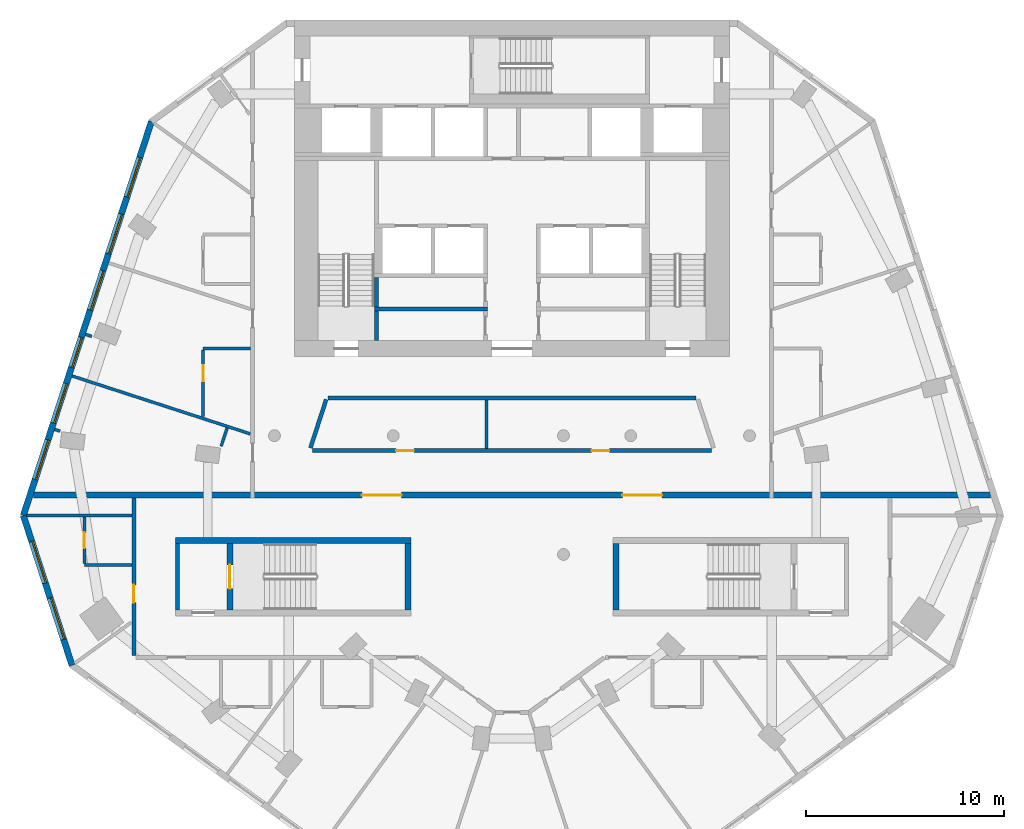
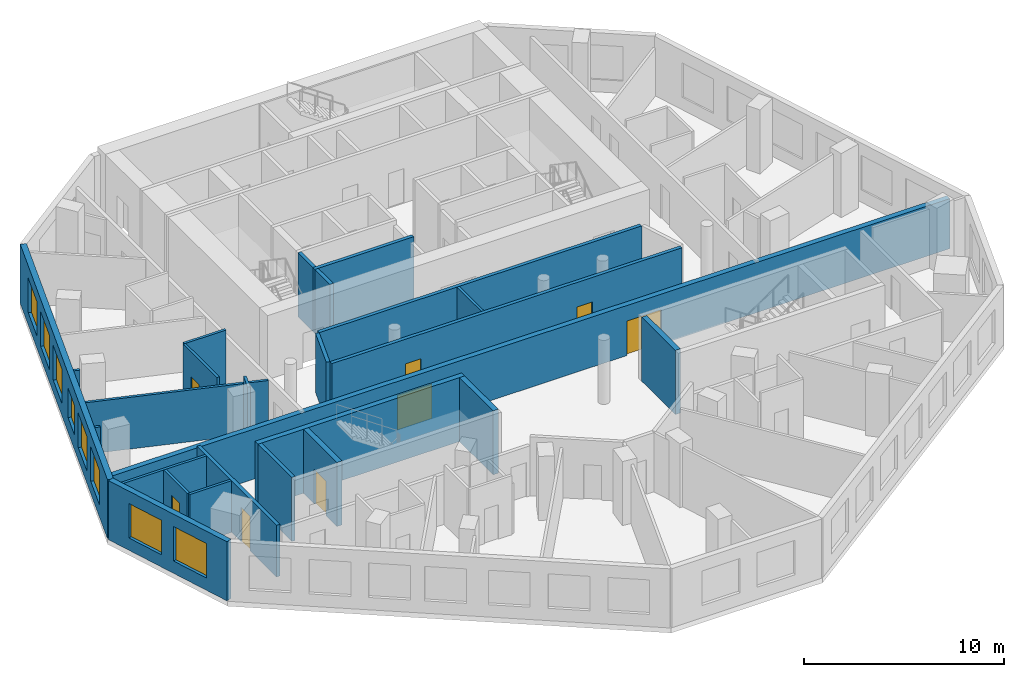
# One storey, part 3 of 9: 25 walls, 8 doors, 8 windows, 16 openings.
"""IFC4 building model written with IfcOpenShell, lengths in metres."""

from ifc_helpers import new_model, si_unit, direction, frame, frame_2d, origin, place, context, subcontext, project, spatial, rectangle, extrude, material, layer, layer_set, type_object, element, fill, save


model = new_model("IFC4")

# Units and contexts
model_context = context("Model", 3, precision=1e-05, world=origin(), true_north=direction((0.0, 1.0)))
body_context = subcontext(model_context, "Body", "Model", "MODEL_VIEW")
ifc_project = project(units=[si_unit("LENGTHUNIT", "METRE"), si_unit("AREAUNIT", "SQUARE_METRE"), si_unit("VOLUMEUNIT", "CUBIC_METRE"), si_unit("PLANEANGLEUNIT", "RADIAN"), si_unit("MASSUNIT", "GRAM", prefix="KILO")], contexts=[model_context])

# Site, building, storey
site_placement = place(None, origin())
site = spatial("IfcSite", under=ifc_project, at=site_placement, CompositionType="ELEMENT")
building_placement = place(site_placement, origin())
building = spatial("IfcBuilding", under=site, at=building_placement, Name="White Candle Pilgrim Tower", CompositionType="ELEMENT")
storey_placement = place(building_placement, frame((0.0, 0.0, 212.10009765625)))
storey = spatial("IfcBuildingStorey", under=building, at=storey_placement, Name="L49", CompositionType="ELEMENT", Elevation=212.10009765625)

# Wall
ifc_material_1 = material(Name="Concrete C50/60", Category="concrete")
ifc_layer_1 = layer(ifc_material_1, 0.199951171875)
ifc_layer_set_1 = layer_set([ifc_layer_1], Name="Core wall 200 mm Concrete C50/60")
wall_type_1 = type_object("IfcWallType", Name="Core wall 200 mm Concrete C50/60", PredefinedType="SHEAR", material=ifc_layer_set_1)
wall_1_placement = place(storey_placement, frame((53.10009765625, 58.199951171875, 0.0), z_axis=(0.0, 0.0, 1.0), x_axis=(0.0, 1.0, 0.0)))
element("IfcWall", 1, at=wall_1_placement, inside=storey, type_object=wall_type_1, Name="WL-L49-C03", PredefinedType="SHEAR", context=body_context, shape_type="SweptSolid", body=[
    extrude(rectangle(XDim=3.35009765625, YDim=0.199951171875, at=frame_2d((1.675048828125, 0.0))), origin(), (0.0, 0.0, 1.0), 3.89990234375),
])

# Wall, opening, door
ifc_material_2 = material(Name="Gypsum board on steel studs", Category="steel")
ifc_layer_2 = layer(ifc_material_2, 0.199951171875)
ifc_layer_set_2 = layer_set([ifc_layer_2], Name="Corridor wall 200 mm EI 45")
wall_type_2 = type_object("IfcWallType", Name="Corridor wall 200 mm EI 45", PredefinedType="PARTITIONING", material=ifc_layer_set_2)
wall_2_placement = place(storey_placement, frame((50.89990234375, 55.89990234375, 0.0), z_axis=(0.0, 0.0, 1.0), x_axis=(0.0, 1.0, 0.0)))
wall_2 = element("IfcWall", 2, at=wall_2_placement, inside=storey, type_object=wall_type_2, Name="WL-L49-P010", PredefinedType="PARTITIONING", context=body_context, shape_type="SweptSolid", body=[
    extrude(rectangle(XDim=7.9501953125, YDim=0.199951171875, at=frame_2d((3.97509765625, 0.0))), origin(), (0.0, 0.0, 1.0), 3.14990234375),
])
opening_1_placement = place(wall_2_placement, frame((2.66650390625, 0.0, 0.0)))
opening_1 = element("IfcOpeningElement", 3, at=opening_1_placement, cuts=wall_2, Name="Opening T15-104", PredefinedType="OPENING", context=body_context, shape_type="SweptSolid", body=[
    extrude(rectangle(XDim=0.89990234375, YDim=2.10009765625, at=frame_2d((0.449951171875, 1.050048828125))), frame((0.0, 0.10986328125, 0.0), z_axis=(0.0, -1.0, 0.0), x_axis=(1.0, 0.0, 0.0)), (0.0, 0.0, 1.0), 0.219970703125),
])
ifc_material_3 = material(Name="Steel door leaf", Category="steel")
door_type_1 = type_object("IfcDoorType", Name="Fire door 900 x 2100 EI 30", OperationType="NOTDEFINED", PredefinedType="DOOR", material=ifc_material_3)
door_1_placement = place(opening_1_placement, origin())
door_1 = element("IfcDoor", 4, at=door_1_placement, inside=storey, type_object=door_type_1, Name="Door T15-104", OperationType="SINGLE_SWING_RIGHT", OverallHeight=2.10009765625, OverallWidth=0.89990234375, PredefinedType="DOOR", context=body_context, shape_type="SweptSolid", body=[
    extrude(rectangle(XDim=0.89990234375, YDim=2.10009765625, at=frame_2d((0.449951171875, 1.050048828125))), frame((0.0, 0.02490234375, 0.0), z_axis=(0.0, -1.0, 0.0), x_axis=(1.0, 0.0, 0.0)), (0.0, 0.0, 1.0), 0.050048828125),
])
fill(opening_1, door_1)

# Wall
wall_3_placement = place(storey_placement, frame((60.614501953125, 68.830810546875, 0.0), z_axis=(0.0, 0.0, 1.0), x_axis=(-0.309053927645, -0.951044515155, 0.0)))
element("IfcWall", 5, at=wall_3_placement, inside=storey, type_object=wall_type_2, Name="WL-L49-P011", PredefinedType="PARTITIONING", context=body_context, shape_type="SweptSolid", body=[
    extrude(rectangle(XDim=2.576171875, YDim=0.199951171875, at=frame_2d((1.2880859375, 0.0))), origin(), (0.0, 0.0, 1.0), 3.599853515625),
])

# Wall, openings, doors
wall_4_placement = place(storey_placement, frame((59.91357421875, 66.25, 0.0), z_axis=(0.0, 0.0, 1.0), x_axis=(1.0, 0.0, 0.0)))
wall_4 = element("IfcWall", 6, at=wall_4_placement, inside=storey, type_object=wall_type_2, Name="WL-L49-P012", PredefinedType="PARTITIONING", context=body_context, shape_type="SweptSolid", body=[
    extrude(rectangle(XDim=20.1728515625, YDim=0.199951171875, at=frame_2d((10.08642578125, 0.0))), origin(), (0.0, 0.0, 1.0), 3.599853515625),
])
opening_2_placement = place(wall_4_placement, frame((4.232421875, 0.0, 0.0)))
opening_2 = element("IfcOpeningElement", 7, at=opening_2_placement, cuts=wall_4, Name="Opening T15-121", PredefinedType="OPENING", context=body_context, shape_type="SweptSolid", body=[
    extrude(rectangle(XDim=0.89990234375, YDim=2.10009765625, at=frame_2d((0.449951171875, 1.050048828125))), frame((0.0, 0.10986328125, 0.0), z_axis=(0.0, -1.0, 0.0), x_axis=(1.0, 0.0, 0.0)), (0.0, 0.0, 1.0), 0.219970703125),
])
opening_3_placement = place(wall_4_placement, frame((14.1064453125, 0.0, 0.0)))
opening_3 = element("IfcOpeningElement", 8, at=opening_3_placement, cuts=wall_4, Name="Opening T15-122", PredefinedType="OPENING", context=body_context, shape_type="SweptSolid", body=[
    extrude(rectangle(XDim=0.89990234375, YDim=2.10009765625, at=frame_2d((0.449951171875, 1.050048828125))), frame((0.0, 0.10986328125, 0.0), z_axis=(0.0, -1.0, 0.0), x_axis=(1.0, 0.0, 0.0)), (0.0, 0.0, 1.0), 0.219970703125),
])
door_2_placement = place(opening_2_placement, origin())
door_2 = element("IfcDoor", 9, at=door_2_placement, inside=storey, type_object=door_type_1, Name="Door T15-121", OperationType="SINGLE_SWING_RIGHT", OverallHeight=2.10009765625, OverallWidth=0.89990234375, PredefinedType="DOOR", context=body_context, shape_type="SweptSolid", body=[
    extrude(rectangle(XDim=0.89990234375, YDim=2.10009765625, at=frame_2d((0.449951171875, 1.050048828125))), frame((0.0, 0.02490234375, 0.0), z_axis=(0.0, -1.0, 0.0), x_axis=(1.0, 0.0, 0.0)), (0.0, 0.0, 1.0), 0.050048828125),
])
fill(opening_2, door_2)
door_3_placement = place(opening_3_placement, origin())
door_3 = element("IfcDoor", 10, at=door_3_placement, inside=storey, type_object=door_type_1, Name="Door T15-122", OperationType="SINGLE_SWING_RIGHT", OverallHeight=2.10009765625, OverallWidth=0.89990234375, PredefinedType="DOOR", context=body_context, shape_type="SweptSolid", body=[
    extrude(rectangle(XDim=0.89990234375, YDim=2.10009765625, at=frame_2d((0.449951171875, 1.050048828125))), frame((0.0, 0.02490234375, 0.0), z_axis=(0.0, -1.0, 0.0), x_axis=(1.0, 0.0, 0.0)), (0.0, 0.0, 1.0), 0.050048828125),
])
fill(opening_3, door_3)

# Wall
wall_5_placement = place(storey_placement, frame((79.290283203125, 68.89990234375, 0.0), z_axis=(0.0, 0.0, 1.0), x_axis=(-1.0, 0.0, 0.0)))
element("IfcWall", 11, at=wall_5_placement, inside=storey, type_object=wall_type_2, Name="WL-L49-P014", PredefinedType="PARTITIONING", context=body_context, shape_type="SweptSolid", body=[
    extrude(rectangle(XDim=18.58056640625, YDim=0.199951171875, at=frame_2d((9.290283203125, 0.0))), origin(), (0.0, 0.0, 1.0), 3.599853515625),
])

# Wall, openings, windows
ifc_material_4 = material(Name="Precast concrete C40/50", Category="concrete")
ifc_layer_3 = layer(ifc_material_4, 0.320068359375)
ifc_layer_set_3 = layer_set([ifc_layer_3], Name="Facade wall EW1 precast concrete C40/50 pier wall with timber-lined reveals")
wall_type_3 = type_object("IfcWallType", Name="Facade wall EW1 precast concrete C40/50 pier wall with timber-lined reveals", PredefinedType="SOLIDWALL", material=ifc_layer_set_3)
wall_6_placement = place(storey_placement, frame((45.312255859375, 62.96337890625, 0.0), z_axis=(0.0, 0.0, 1.0), x_axis=(0.309020158762, -0.951055488118, 0.0)))
wall_6 = element("IfcWall", 12, at=wall_6_placement, inside=storey, type_object=wall_type_3, Name="Facade wall L49 W chamfer", PredefinedType="SOLIDWALL", context=body_context, shape_type="SweptSolid", body=[
    extrude(rectangle(XDim=7.95654296875, YDim=0.320068359375, at=frame_2d((3.978271484375, 0.0))), origin(), (0.0, 0.0, 1.0), 3.599853515625),
])
opening_4_placement = place(wall_6_placement, frame((1.378173828125, 0.0, 0.75)))
opening_4 = element("IfcOpeningElement", 13, at=opening_4_placement, cuts=wall_6, Name="Opening W4", PredefinedType="OPENING", context=body_context, shape_type="SweptSolid", body=[
    extrude(rectangle(XDim=2.199951171875, YDim=2.10009765625, at=frame_2d((1.10009765625, 1.050048828125))), frame((0.0, 0.169921875, 0.0), z_axis=(0.0, -1.0, 0.0), x_axis=(1.0, 0.0, 0.0)), (0.0, 0.0, 1.0), 0.340087890625),
])
opening_5_placement = place(wall_6_placement, frame((4.378173828125, 0.0, 0.75)))
opening_5 = element("IfcOpeningElement", 14, at=opening_5_placement, cuts=wall_6, Name="Opening W4", PredefinedType="OPENING", context=body_context, shape_type="SweptSolid", body=[
    extrude(rectangle(XDim=2.199951171875, YDim=2.10009765625, at=frame_2d((1.10009765625, 1.050048828125))), frame((0.0, 0.169921875, 0.0), z_axis=(0.0, -1.0, 0.0), x_axis=(1.0, 0.0, 0.0)), (0.0, 0.0, 1.0), 0.340087890625),
])
ifc_material_5 = material(Name="Timber frame with triple glazing", Category="wood")
window_type_1 = type_object("IfcWindowType", Name="Window W4 2200x2100 timber frame triple glazing", PartitioningType="SINGLE_PANEL", PredefinedType="WINDOW", material=ifc_material_5)
window_1_placement = place(opening_4_placement, origin())
window_1 = element("IfcWindow", 15, at=window_1_placement, inside=storey, type_object=window_type_1, Name="Window W4 L49 W chamfer 1", OverallHeight=2.10009765625, OverallWidth=2.199951171875, PartitioningType="SINGLE_PANEL", PredefinedType="WINDOW", context=body_context, shape_type="SweptSolid", body=[
    extrude(rectangle(XDim=2.199951171875, YDim=2.10009765625, at=frame_2d((1.10009765625, 1.050048828125))), frame((0.0, 0.070068359375, 0.0), z_axis=(0.0, -1.0, 0.0), x_axis=(1.0, 0.0, 0.0)), (0.0, 0.0, 1.0), 0.06005859375),
])
fill(opening_4, window_1)
window_2_placement = place(opening_5_placement, origin())
window_2 = element("IfcWindow", 16, at=window_2_placement, inside=storey, type_object=window_type_1, Name="Window W4 L49 W chamfer 2", OverallHeight=2.10009765625, OverallWidth=2.199951171875, PartitioningType="SINGLE_PANEL", PredefinedType="WINDOW", context=body_context, shape_type="SweptSolid", body=[
    extrude(rectangle(XDim=2.199951171875, YDim=2.10009765625, at=frame_2d((1.10009765625, 1.050048828125))), frame((0.0, 0.070068359375, 0.0), z_axis=(0.0, -1.0, 0.0), x_axis=(1.0, 0.0, 0.0)), (0.0, 0.0, 1.0), 0.06005859375),
])
fill(opening_5, window_2)

wall_7_placement = place(storey_placement, frame((51.7822265625, 82.875732421875, 0.0), z_axis=(0.0, 0.0, 1.0), x_axis=(-0.309019363855, -0.951055746401, 0.0)))
wall_7 = element("IfcWall", 17, at=wall_7_placement, inside=storey, type_object=wall_type_3, Name="Facade wall L49 WNW", PredefinedType="SOLIDWALL", context=body_context, shape_type="SweptSolid", body=[
    extrude(rectangle(XDim=20.93701171875, YDim=0.320068359375, at=frame_2d((10.468505859375, 0.0))), origin(), (0.0, 0.0, 1.0), 3.599853515625),
])
opening_6_placement = place(wall_7_placement, frame((1.918701171875, 0.0, 0.75)))
opening_6 = element("IfcOpeningElement", 18, at=opening_6_placement, cuts=wall_7, Name="Opening W3", PredefinedType="OPENING", context=body_context, shape_type="SweptSolid", body=[
    extrude(rectangle(XDim=2.10009765625, YDim=2.10009765625, at=frame_2d((1.050048828125, 1.050048828125))), frame((0.0, 0.169921875, 0.0), z_axis=(0.0, -1.0, 0.0), x_axis=(1.0, 0.0, 0.0)), (0.0, 0.0, 1.0), 0.340087890625),
])
opening_7_placement = place(wall_7_placement, frame((4.918701171875, 0.0, 0.75)))
opening_7 = element("IfcOpeningElement", 19, at=opening_7_placement, cuts=wall_7, Name="Opening W3", PredefinedType="OPENING", context=body_context, shape_type="SweptSolid", body=[
    extrude(rectangle(XDim=2.10009765625, YDim=2.10009765625, at=frame_2d((1.050048828125, 1.050048828125))), frame((0.0, 0.169921875, 0.0), z_axis=(0.0, -1.0, 0.0), x_axis=(1.0, 0.0, 0.0)), (0.0, 0.0, 1.0), 0.340087890625),
])
opening_8_placement = place(wall_7_placement, frame((7.918701171875, 0.0, 0.75)))
opening_8 = element("IfcOpeningElement", 20, at=opening_8_placement, cuts=wall_7, Name="Opening W3", PredefinedType="OPENING", context=body_context, shape_type="SweptSolid", body=[
    extrude(rectangle(XDim=2.10009765625, YDim=2.10009765625, at=frame_2d((1.050048828125, 1.050048828125))), frame((0.0, 0.169921875, 0.0), z_axis=(0.0, -1.0, 0.0), x_axis=(1.0, 0.0, 0.0)), (0.0, 0.0, 1.0), 0.340087890625),
])
opening_9_placement = place(wall_7_placement, frame((11.468505859375, 0.0, 0.89990234375)))
opening_9 = element("IfcOpeningElement", 21, at=opening_9_placement, cuts=wall_7, Name="Opening W2", PredefinedType="OPENING", context=body_context, shape_type="SweptSolid", body=[
    extrude(rectangle(XDim=1.60009765625, YDim=1.800048828125, at=frame_2d((0.800048828125, 0.89990234375))), frame((0.0, 0.169921875, 0.0), z_axis=(0.0, -1.0, 0.0), x_axis=(1.0, 0.0, 0.0)), (0.0, 0.0, 1.0), 0.340087890625),
])
opening_10_placement = place(wall_7_placement, frame((13.918701171875, 0.0, 0.75)))
opening_10 = element("IfcOpeningElement", 22, at=opening_10_placement, cuts=wall_7, Name="Opening W3", PredefinedType="OPENING", context=body_context, shape_type="SweptSolid", body=[
    extrude(rectangle(XDim=2.10009765625, YDim=2.10009765625, at=frame_2d((1.050048828125, 1.050048828125))), frame((0.0, 0.169921875, 0.0), z_axis=(0.0, -1.0, 0.0), x_axis=(1.0, 0.0, 0.0)), (0.0, 0.0, 1.0), 0.340087890625),
])
opening_11_placement = place(wall_7_placement, frame((16.918701171875, 0.0, 0.75)))
opening_11 = element("IfcOpeningElement", 23, at=opening_11_placement, cuts=wall_7, Name="Opening W3", PredefinedType="OPENING", context=body_context, shape_type="SweptSolid", body=[
    extrude(rectangle(XDim=2.10009765625, YDim=2.10009765625, at=frame_2d((1.050048828125, 1.050048828125))), frame((0.0, 0.169921875, 0.0), z_axis=(0.0, -1.0, 0.0), x_axis=(1.0, 0.0, 0.0)), (0.0, 0.0, 1.0), 0.340087890625),
])
window_type_2 = type_object("IfcWindowType", Name="Window W2 1600x1800 timber frame triple glazing", PartitioningType="SINGLE_PANEL", PredefinedType="WINDOW", material=ifc_material_5)
window_3_placement = place(opening_9_placement, origin())
window_3 = element("IfcWindow", 24, at=window_3_placement, inside=storey, type_object=window_type_2, Name="Window W2 L49 WNW 4", OverallHeight=1.800048828125, OverallWidth=1.60009765625, PartitioningType="SINGLE_PANEL", PredefinedType="WINDOW", context=body_context, shape_type="SweptSolid", body=[
    extrude(rectangle(XDim=1.60009765625, YDim=1.800048828125, at=frame_2d((0.800048828125, 0.89990234375))), frame((0.0, 0.070068359375, 0.0), z_axis=(0.0, -1.0, 0.0), x_axis=(1.0, 0.0, 0.0)), (0.0, 0.0, 1.0), 0.06005859375),
])
fill(opening_9, window_3)
window_type_3 = type_object("IfcWindowType", Name="Window W3 2100x2100 timber frame triple glazing", PartitioningType="SINGLE_PANEL", PredefinedType="WINDOW", material=ifc_material_5)
window_4_placement = place(opening_6_placement, origin())
window_4 = element("IfcWindow", 25, at=window_4_placement, inside=storey, type_object=window_type_3, Name="Window W3 L49 WNW 1", OverallHeight=2.10009765625, OverallWidth=2.10009765625, PartitioningType="SINGLE_PANEL", PredefinedType="WINDOW", context=body_context, shape_type="SweptSolid", body=[
    extrude(rectangle(XDim=2.10009765625, YDim=2.10009765625, at=frame_2d((1.050048828125, 1.050048828125))), frame((0.0, 0.070068359375, 0.0), z_axis=(0.0, -1.0, 0.0), x_axis=(1.0, 0.0, 0.0)), (0.0, 0.0, 1.0), 0.06005859375),
])
fill(opening_6, window_4)
window_5_placement = place(opening_7_placement, origin())
window_5 = element("IfcWindow", 26, at=window_5_placement, inside=storey, type_object=window_type_3, Name="Window W3 L49 WNW 2", OverallHeight=2.10009765625, OverallWidth=2.10009765625, PartitioningType="SINGLE_PANEL", PredefinedType="WINDOW", context=body_context, shape_type="SweptSolid", body=[
    extrude(rectangle(XDim=2.10009765625, YDim=2.10009765625, at=frame_2d((1.050048828125, 1.050048828125))), frame((0.0, 0.070068359375, 0.0), z_axis=(0.0, -1.0, 0.0), x_axis=(1.0, 0.0, 0.0)), (0.0, 0.0, 1.0), 0.06005859375),
])
fill(opening_7, window_5)
window_6_placement = place(opening_8_placement, origin())
window_6 = element("IfcWindow", 27, at=window_6_placement, inside=storey, type_object=window_type_3, Name="Window W3 L49 WNW 3", OverallHeight=2.10009765625, OverallWidth=2.10009765625, PartitioningType="SINGLE_PANEL", PredefinedType="WINDOW", context=body_context, shape_type="SweptSolid", body=[
    extrude(rectangle(XDim=2.10009765625, YDim=2.10009765625, at=frame_2d((1.050048828125, 1.050048828125))), frame((0.0, 0.070068359375, 0.0), z_axis=(0.0, -1.0, 0.0), x_axis=(1.0, 0.0, 0.0)), (0.0, 0.0, 1.0), 0.06005859375),
])
fill(opening_8, window_6)
window_7_placement = place(opening_10_placement, origin())
window_7 = element("IfcWindow", 28, at=window_7_placement, inside=storey, type_object=window_type_3, Name="Window W3 L49 WNW 5", OverallHeight=2.10009765625, OverallWidth=2.10009765625, PartitioningType="SINGLE_PANEL", PredefinedType="WINDOW", context=body_context, shape_type="SweptSolid", body=[
    extrude(rectangle(XDim=2.10009765625, YDim=2.10009765625, at=frame_2d((1.050048828125, 1.050048828125))), frame((0.0, 0.070068359375, 0.0), z_axis=(0.0, -1.0, 0.0), x_axis=(1.0, 0.0, 0.0)), (0.0, 0.0, 1.0), 0.06005859375),
])
fill(opening_10, window_7)
window_8_placement = place(opening_11_placement, origin())
window_8 = element("IfcWindow", 29, at=window_8_placement, inside=storey, type_object=window_type_3, Name="Window W3 L49 WNW 6", OverallHeight=2.10009765625, OverallWidth=2.10009765625, PartitioningType="SINGLE_PANEL", PredefinedType="WINDOW", context=body_context, shape_type="SweptSolid", body=[
    extrude(rectangle(XDim=2.10009765625, YDim=2.10009765625, at=frame_2d((1.050048828125, 1.050048828125))), frame((0.0, 0.070068359375, 0.0), z_axis=(0.0, -1.0, 0.0), x_axis=(1.0, 0.0, 0.0)), (0.0, 0.0, 1.0), 0.06005859375),
])
fill(opening_11, window_8)

# Wall, openings, doors
ifc_material_6 = material(Name="Aerated concrete block", Category="concrete")
ifc_layer_4 = layer(ifc_material_6, 0.300048828125)
ifc_layer_set_4 = layer_set([ifc_layer_4], Name="Fire wall 300 mm REI 240")
wall_type_4 = type_object("IfcWallType", Name="Fire wall 300 mm REI 240", PredefinedType="PARTITIONING", material=ifc_layer_set_4)
wall_8_placement = place(storey_placement, frame((45.8173828125, 64.0, 0.0), z_axis=(0.0, 0.0, 1.0), x_axis=(1.0, 0.0, 0.0)))
wall_8 = element("IfcWall", 30, at=wall_8_placement, inside=storey, type_object=wall_type_4, Name="WL-L49-P001", PredefinedType="PARTITIONING", context=body_context, shape_type="SweptSolid", body=[
    extrude(rectangle(XDim=48.365234375, YDim=0.300048828125, at=frame_2d((24.1826171875, 0.0))), origin(), (0.0, 0.0, 1.0), 3.0498046875),
])
opening_12_placement = place(wall_8_placement, frame((16.60107421875, 0.0, 0.0)))
opening_12 = element("IfcOpeningElement", 31, at=opening_12_placement, cuts=wall_8, Name="Opening T15-119", PredefinedType="OPENING", context=body_context, shape_type="SweptSolid", body=[
    extrude(rectangle(XDim=2.0, YDim=2.10009765625, at=frame_2d((1.0, 1.050048828125))), frame((0.0, 0.159912109375, 0.0), z_axis=(0.0, -1.0, 0.0), x_axis=(1.0, 0.0, 0.0)), (0.0, 0.0, 1.0), 0.320068359375),
])
opening_13_placement = place(wall_8_placement, frame((29.76416015625, 0.0, 0.0)))
opening_13 = element("IfcOpeningElement", 32, at=opening_13_placement, cuts=wall_8, Name="Opening T15-120", PredefinedType="OPENING", context=body_context, shape_type="SweptSolid", body=[
    extrude(rectangle(XDim=2.0, YDim=2.10009765625, at=frame_2d((1.0, 1.050048828125))), frame((0.0, 0.159912109375, 0.0), z_axis=(0.0, -1.0, 0.0), x_axis=(1.0, 0.0, 0.0)), (0.0, 0.0, 1.0), 0.320068359375),
])
door_type_2 = type_object("IfcDoorType", Name="Fire door 2000 x 2100 EI 60", OperationType="NOTDEFINED", PredefinedType="DOOR", material=ifc_material_3)
door_4_placement = place(opening_12_placement, origin())
door_4 = element("IfcDoor", 33, at=door_4_placement, inside=storey, type_object=door_type_2, Name="Door T15-119", OperationType="DOUBLE_DOOR_SINGLE_SWING", OverallHeight=2.10009765625, OverallWidth=2.0, PredefinedType="DOOR", context=body_context, shape_type="SweptSolid", body=[
    extrude(rectangle(XDim=2.0, YDim=2.10009765625, at=frame_2d((1.0, 1.050048828125))), frame((0.0, 0.02490234375, 0.0), z_axis=(0.0, -1.0, 0.0), x_axis=(1.0, 0.0, 0.0)), (0.0, 0.0, 1.0), 0.050048828125),
])
fill(opening_12, door_4)
door_5_placement = place(opening_13_placement, origin())
door_5 = element("IfcDoor", 34, at=door_5_placement, inside=storey, type_object=door_type_2, Name="Door T15-120", OperationType="DOUBLE_DOOR_SINGLE_SWING", OverallHeight=2.10009765625, OverallWidth=2.0, PredefinedType="DOOR", context=body_context, shape_type="SweptSolid", body=[
    extrude(rectangle(XDim=2.0, YDim=2.10009765625, at=frame_2d((1.0, 1.050048828125))), frame((0.0, 0.02490234375, 0.0), z_axis=(0.0, -1.0, 0.0), x_axis=(1.0, 0.0, 0.0)), (0.0, 0.0, 1.0), 0.050048828125),
])
fill(opening_13, door_5)

# Walls
ifc_layer_5 = layer(ifc_material_2, 0.14990234375)
ifc_layer_set_5 = layer_set([ifc_layer_5], Name="Partition 150 mm EI 60")
wall_type_5 = type_object("IfcWallType", Name="Partition 150 mm EI 60", PredefinedType="PARTITIONING", material=ifc_layer_set_5)
wall_9_placement = place(storey_placement, frame((45.480712890625, 62.96337890625, 0.0), z_axis=(0.0, 0.0, 1.0), x_axis=(1.0, 0.0, 0.0)))
element("IfcWall", 35, at=wall_9_placement, inside=storey, type_object=wall_type_5, Name="WL-L49-P016", PredefinedType="PARTITIONING", context=body_context, shape_type="SweptSolid", body=[
    extrude(rectangle(XDim=5.3193359375, YDim=0.14990234375, at=frame_2d((2.65966796875, 0.0))), origin(), (0.0, 0.0, 1.0), 3.14990234375),
])
wall_10_placement = place(storey_placement, frame((47.7724609375, 70.016845703125, 0.0), z_axis=(0.0, 0.0, 1.0), x_axis=(0.951061731956, -0.309000941761, 0.0)))
element("IfcWall", 36, at=wall_10_placement, inside=storey, type_object=wall_type_5, Name="WL-L49-P025", PredefinedType="PARTITIONING", context=body_context, shape_type="SweptSolid", body=[
    extrude(rectangle(XDim=9.4677734375, YDim=0.14990234375, at=frame_2d((4.73388671875, 0.0))), origin(), (0.0, 0.0, 1.0), 3.14990234375),
])
wall_11_placement = place(storey_placement, frame((56.800048828125, 71.39990234375, 0.0), z_axis=(0.0, 0.0, 1.0), x_axis=(-1.0, 0.0, 0.0)))
element("IfcWall", 37, at=wall_11_placement, inside=storey, type_object=wall_type_5, Name="WL-L49-P029", PredefinedType="PARTITIONING", context=body_context, shape_type="SweptSolid", body=[
    extrude(rectangle(XDim=2.400146484375, YDim=0.14990234375, at=frame_2d((1.2001953125, 0.0))), origin(), (0.0, 0.0, 1.0), 3.599853515625),
])

# Wall, opening, door
wall_12_placement = place(storey_placement, frame((54.39990234375, 67.966796875, 0.0), z_axis=(0.0, 0.0, 1.0), x_axis=(0.0, 1.0, 0.0)))
wall_12 = element("IfcWall", 38, at=wall_12_placement, inside=storey, type_object=wall_type_5, Name="WL-L49-P030", PredefinedType="PARTITIONING", context=body_context, shape_type="SweptSolid", body=[
    extrude(rectangle(XDim=3.358154296875, YDim=0.14990234375, at=frame_2d((1.67919921875, 0.0))), origin(), (0.0, 0.0, 1.0), 3.599853515625),
])
opening_14_placement = place(wall_12_placement, frame((1.783203125, 0.0, 0.0)))
opening_14 = element("IfcOpeningElement", 39, at=opening_14_placement, cuts=wall_12, Name="Opening T15-102", PredefinedType="OPENING", context=body_context, shape_type="SweptSolid", body=[
    extrude(rectangle(XDim=0.800048828125, YDim=2.10009765625, at=frame_2d((0.39990234375, 1.050048828125))), frame((0.0, 0.0849609375, 0.0), z_axis=(0.0, -1.0, 0.0), x_axis=(1.0, 0.0, 0.0)), (0.0, 0.0, 1.0), 0.169921875),
])
door_type_3 = type_object("IfcDoorType", Name="Fire door 800 x 2100 EI 30", OperationType="NOTDEFINED", PredefinedType="DOOR", material=ifc_material_3)
door_6_placement = place(opening_14_placement, origin())
door_6 = element("IfcDoor", 40, at=door_6_placement, inside=storey, type_object=door_type_3, Name="Door T15-102", OperationType="SINGLE_SWING_RIGHT", OverallHeight=2.10009765625, OverallWidth=0.800048828125, PredefinedType="DOOR", context=body_context, shape_type="SweptSolid", body=[
    extrude(rectangle(XDim=0.800048828125, YDim=2.10009765625, at=frame_2d((0.39990234375, 1.050048828125))), frame((0.0, 0.02490234375, 0.0), z_axis=(0.0, -1.0, 0.0), x_axis=(1.0, 0.0, 0.0)), (0.0, 0.0, 1.0), 0.050048828125),
])
fill(opening_14, door_6)

# Wall
wall_13_placement = place(storey_placement, frame((50.800048828125, 60.46337890625, 0.0), z_axis=(0.0, 0.0, 1.0), x_axis=(-1.0, 0.0, 0.0)))
element("IfcWall", 41, at=wall_13_placement, inside=storey, type_object=wall_type_5, Name="WL-L49-P031", PredefinedType="PARTITIONING", context=body_context, shape_type="SweptSolid", body=[
    extrude(rectangle(XDim=2.400146484375, YDim=0.14990234375, at=frame_2d((1.2001953125, 0.0))), origin(), (0.0, 0.0, 1.0), 3.14990234375),
])

# Wall, opening, door
wall_14_placement = place(storey_placement, frame((48.39990234375, 62.88818359375, 0.0), z_axis=(0.0, 0.0, 1.0), x_axis=(0.0, -1.0, 0.0)))
wall_14 = element("IfcWall", 42, at=wall_14_placement, inside=storey, type_object=wall_type_5, Name="WL-L49-P032", PredefinedType="PARTITIONING", context=body_context, shape_type="SweptSolid", body=[
    extrude(rectangle(XDim=2.349853515625, YDim=0.14990234375, at=frame_2d((1.1748046875, 0.0))), origin(), (0.0, 0.0, 1.0), 3.14990234375),
])
opening_15_placement = place(wall_14_placement, frame((0.77490234375, 0.0, 0.0)))
opening_15 = element("IfcOpeningElement", 43, at=opening_15_placement, cuts=wall_14, Name="Opening T15-103", PredefinedType="OPENING", context=body_context, shape_type="SweptSolid", body=[
    extrude(rectangle(XDim=0.800048828125, YDim=2.10009765625, at=frame_2d((0.39990234375, 1.050048828125))), frame((0.0, 0.0849609375, 0.0), z_axis=(0.0, -1.0, 0.0), x_axis=(1.0, 0.0, 0.0)), (0.0, 0.0, 1.0), 0.169921875),
])
door_7_placement = place(opening_15_placement, frame((0.800048828125, 0.0, 0.0), z_axis=(0.0, 0.0, 1.0), x_axis=(-1.0, 0.0, 0.0)))
door_7 = element("IfcDoor", 44, at=door_7_placement, inside=storey, type_object=door_type_3, Name="Door T15-103", OperationType="SINGLE_SWING_RIGHT", OverallHeight=2.10009765625, OverallWidth=0.800048828125, PredefinedType="DOOR", context=body_context, shape_type="SweptSolid", body=[
    extrude(rectangle(XDim=0.800048828125, YDim=2.10009765625, at=frame_2d((0.39990234375, 1.050048828125))), frame((0.0, 0.02490234375, 0.0), z_axis=(0.0, -1.0, 0.0), x_axis=(1.0, 0.0, 0.0)), (0.0, 0.0, 1.0), 0.050048828125),
])
fill(opening_15, door_7)

# Walls
wall_15_placement = place(storey_placement, frame((68.715576171875, 66.35009765625, 0.0), z_axis=(0.0, 0.0, 1.0), x_axis=(0.0, 1.0, 0.0)))
element("IfcWall", 45, at=wall_15_placement, inside=storey, type_object=wall_type_5, Name="WL-L49-P054", PredefinedType="PARTITIONING", context=body_context, shape_type="SweptSolid", body=[
    extrude(rectangle(XDim=2.449951171875, YDim=0.14990234375, at=frame_2d((1.22509765625, 0.0))), origin(), (0.0, 0.0, 1.0), 3.599853515625),
])
wall_16_placement = place(storey_placement, frame((48.768310546875, 72.015869140625, 0.0), z_axis=(0.0, 0.0, 1.0), x_axis=(-0.951028621269, 0.309102833257, 0.0)))
element("IfcWall", 46, at=wall_16_placement, inside=storey, type_object=wall_type_5, Name="WL-L49-P057", PredefinedType="PARTITIONING", context=body_context, shape_type="SweptSolid", body=[
    extrude(rectangle(XDim=0.329345703125, YDim=0.14990234375, at=frame_2d((0.16455078125, 0.0))), origin(), (0.0, 0.0, 1.0), 3.599853515625),
])
wall_17_placement = place(storey_placement, frame((47.167724609375, 67.228271484375, 0.0), z_axis=(0.0, 0.0, 1.0), x_axis=(-0.951040325466, 0.309066820183, 0.0)))
element("IfcWall", 47, at=wall_17_placement, inside=storey, type_object=wall_type_5, Name="WL-L49-P058", PredefinedType="PARTITIONING", context=body_context, shape_type="SweptSolid", body=[
    extrude(rectangle(XDim=0.286865234375, YDim=0.14990234375, at=frame_2d((0.1435546875, 0.0))), origin(), (0.0, 0.0, 1.0), 3.599853515625),
])
wall_18_placement = place(storey_placement, frame((55.306640625, 66.462158203125, 0.0), z_axis=(0.0, 0.0, 1.0), x_axis=(0.308950530708, 0.951078109082, 0.0)))
element("IfcWall", 48, at=wall_18_placement, inside=storey, type_object=wall_type_5, Name="WL-L49-P060", PredefinedType="PARTITIONING", context=body_context, shape_type="SweptSolid", body=[
    extrude(rectangle(XDim=0.9775390625, YDim=0.14990234375, at=frame_2d((0.48876953125, 0.0))), origin(), (0.0, 0.0, 1.0), 3.599853515625),
])
ifc_layer_6 = layer(ifc_material_1, 0.199951171875)
ifc_layer_set_6 = layer_set([ifc_layer_6], Name="Stair shaft wall 200 mm Concrete C50/60")
wall_type_6 = type_object("IfcWallType", Name="Stair shaft wall 200 mm Concrete C50/60", PredefinedType="SHEAR", material=ifc_layer_set_6)
wall_19_placement = place(storey_placement, frame((63.14990234375, 71.800048828125, 0.0), z_axis=(0.0, 0.0, 1.0), x_axis=(0.0, 1.0, 0.0)))
element("IfcWall", 49, at=wall_19_placement, inside=storey, type_object=wall_type_6, Name="WL-L49-C13", PredefinedType="SHEAR", context=body_context, shape_type="SweptSolid", body=[
    extrude(rectangle(XDim=1.5, YDim=0.199951171875, at=frame_2d((0.75, 0.0))), origin(), (0.0, 0.0, 1.0), 3.89990234375),
])
wall_20_placement = place(storey_placement, frame((63.050048828125, 73.39990234375, 0.0), z_axis=(0.0, 0.0, 1.0), x_axis=(1.0, 0.0, 0.0)))
element("IfcWall", 50, at=wall_20_placement, inside=storey, type_object=wall_type_6, Name="WL-L49-C18", PredefinedType="SHEAR", context=body_context, shape_type="SweptSolid", body=[
    extrude(rectangle(XDim=5.699951171875, YDim=0.199951171875, at=frame_2d((2.85009765625, 0.0))), origin(), (0.0, 0.0, 1.0), 3.89990234375),
])
wall_21_placement = place(storey_placement, frame((63.14990234375, 73.5, 0.0), z_axis=(0.0, 0.0, 1.0), x_axis=(0.0, 1.0, 0.0)))
element("IfcWall", 51, at=wall_21_placement, inside=storey, type_object=wall_type_6, Name="WL-L49-C20", PredefinedType="SHEAR", context=body_context, shape_type="SweptSolid", body=[
    extrude(rectangle(XDim=1.5, YDim=0.199951171875, at=frame_2d((0.75, 0.0))), origin(), (0.0, 0.0, 1.0), 3.89990234375),
])

# Wall, opening, door
ifc_layer_7 = layer(ifc_material_1, 0.300048828125)
ifc_layer_set_7 = layer_set([ifc_layer_7], Name="Stair shaft wall 300 mm Concrete C50/60")
wall_type_7 = type_object("IfcWallType", Name="Stair shaft wall 300 mm Concrete C50/60", PredefinedType="SHEAR", material=ifc_layer_set_7)
wall_22_placement = place(storey_placement, frame((55.75, 58.199951171875, 0.0), z_axis=(0.0, 0.0, 1.0), x_axis=(0.0, 1.0, 0.0)))
wall_22 = element("IfcWall", 52, at=wall_22_placement, inside=storey, type_object=wall_type_7, Name="WL-L49-C04", PredefinedType="SHEAR", context=body_context, shape_type="SweptSolid", body=[
    extrude(rectangle(XDim=3.35009765625, YDim=0.300048828125, at=frame_2d((1.675048828125, 0.0))), origin(), (0.0, 0.0, 1.0), 3.89990234375),
])
opening_16_placement = place(wall_22_placement, frame((1.074951171875, 0.0, 0.0)))
opening_16 = element("IfcOpeningElement", 53, at=opening_16_placement, cuts=wall_22, Name="Opening T15-012", PredefinedType="OPENING", context=body_context, shape_type="SweptSolid", body=[
    extrude(rectangle(XDim=1.199951171875, YDim=2.10009765625, at=frame_2d((0.60009765625, 1.050048828125))), frame((0.0, 0.159912109375, 0.0), z_axis=(0.0, -1.0, 0.0), x_axis=(1.0, 0.0, 0.0)), (0.0, 0.0, 1.0), 0.320068359375),
])
door_type_4 = type_object("IfcDoorType", Name="Fire door 1200 x 2100 EI 60", OperationType="NOTDEFINED", PredefinedType="DOOR", material=ifc_material_3)
door_8_placement = place(opening_16_placement, frame((1.199951171875, 0.0, 0.0), z_axis=(0.0, 0.0, 1.0), x_axis=(-1.0, 0.0, 0.0)))
door_8 = element("IfcDoor", 54, at=door_8_placement, inside=storey, type_object=door_type_4, Name="Door T15-012", OperationType="SINGLE_SWING_LEFT", OverallHeight=2.10009765625, OverallWidth=1.199951171875, PredefinedType="DOOR", context=body_context, shape_type="SweptSolid", body=[
    extrude(rectangle(XDim=1.199951171875, YDim=2.10009765625, at=frame_2d((0.60009765625, 1.050048828125))), frame((0.0, 0.02490234375, 0.0), z_axis=(0.0, -1.0, 0.0), x_axis=(1.0, 0.0, 0.0)), (0.0, 0.0, 1.0), 0.050048828125),
])
fill(opening_16, door_8)

# Walls
for number, where, z_axis, x_axis, name in (
    (55, (64.75, 58.199951171875, 0.0), (0.0, 0.0, 1.0), (0.0, 1.0, 0.0), "WL-L49-C05"),
    (56, (75.25, 58.199951171875, 0.0), (0.0, 0.0, 1.0), (0.0, 1.0, 0.0), "WL-L49-C06"),
):
    element("IfcWall", number, at=place(storey_placement, frame(where, z_axis=z_axis, x_axis=x_axis)), inside=storey, type_object=wall_type_7, Name=name, PredefinedType="SHEAR", context=body_context, shape_type="SweptSolid", body=[
        extrude(rectangle(XDim=3.35009765625, YDim=0.300048828125, at=frame_2d((1.675048828125, 0.0))), origin(), (0.0, 0.0, 1.0), 3.89990234375),
    ])
wall_23_placement = place(storey_placement, frame((53.0, 61.699951171875, 0.0), z_axis=(0.0, 0.0, 1.0), x_axis=(1.0, 0.0, 0.0)))
element("IfcWall", 57, at=wall_23_placement, inside=storey, type_object=wall_type_7, Name="WL-L49-C09", PredefinedType="SHEAR", context=body_context, shape_type="SweptSolid", body=[
    extrude(rectangle(XDim=11.89990234375, YDim=0.300048828125, at=frame_2d((5.949951171875, 0.0))), origin(), (0.0, 0.0, 1.0), 3.89990234375),
])

save(model, "model.ifc")
